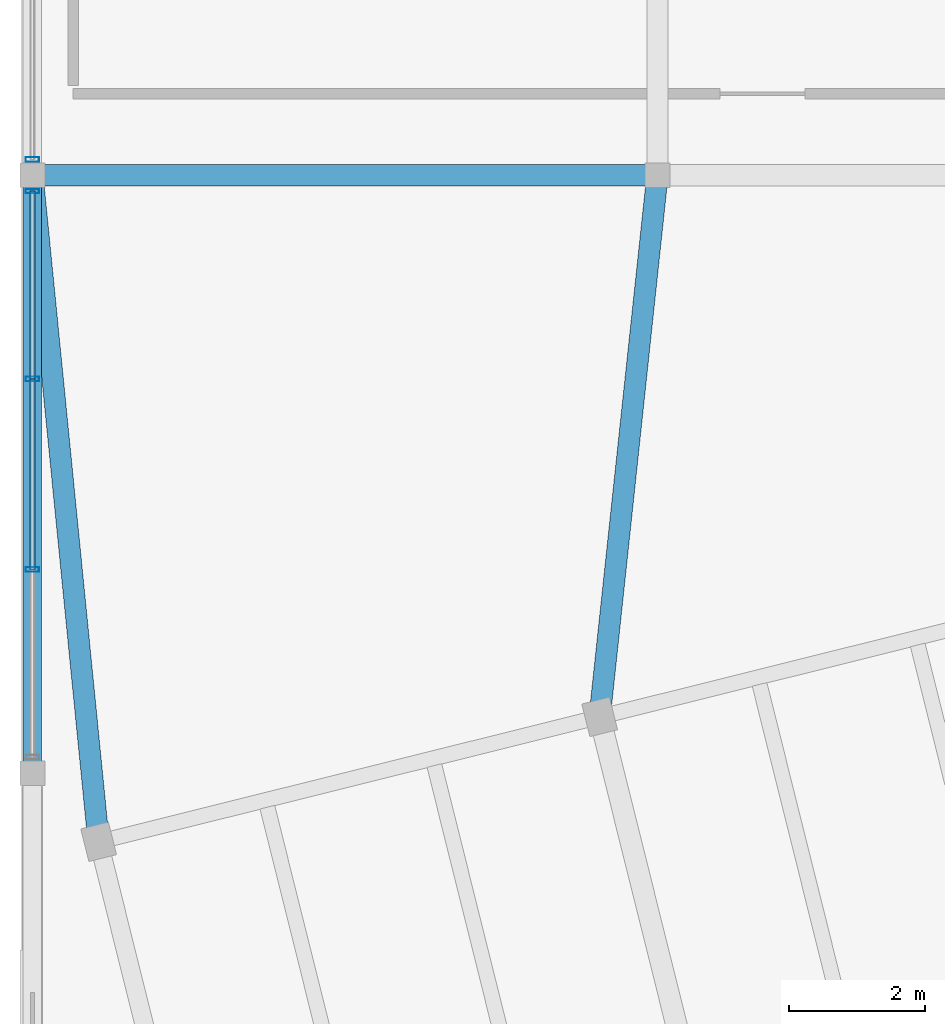
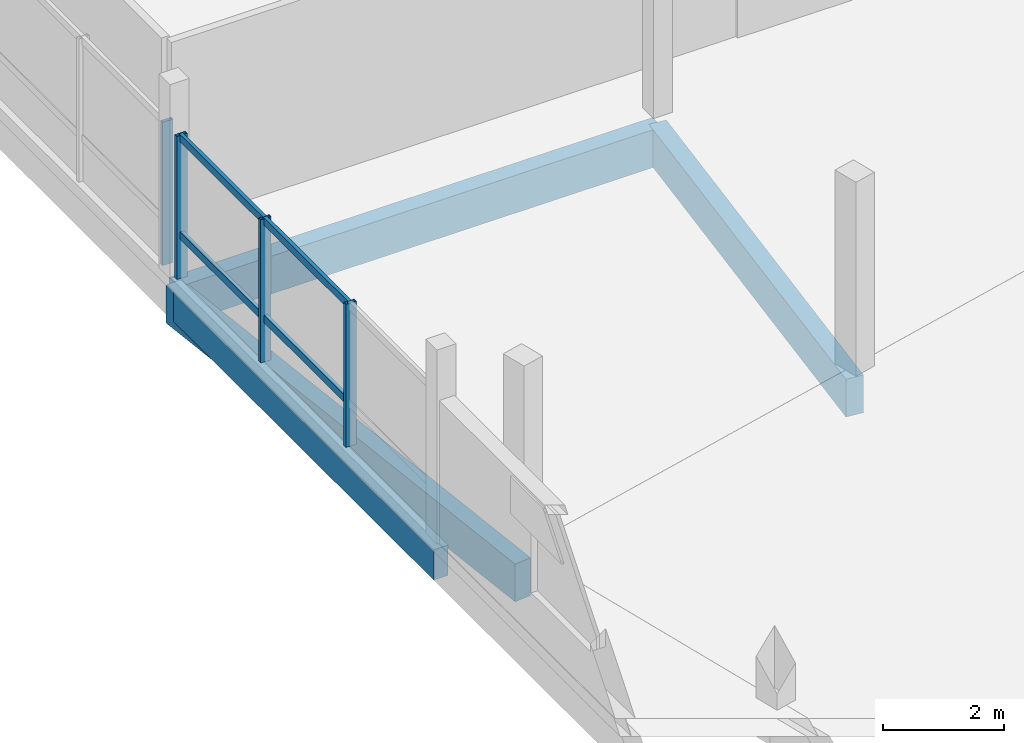
# One storey, part 24 of 39: 8 members, 4 beams, 2 elements without a shape of their own.
"""IFC4 building model written with IfcOpenShell, lengths in metres."""

import ifcopenshell
import ifcopenshell.guid

model = None  # the IFC model being written
_history = None  # IfcOwnerHistory: only IFC2X3 demands one
_inside = {}  # id of a spatial element -> (the spatial element, [elements in it])
_under = {}  # id of a project, library or spatial element -> (it, [spatial elements below it])
_declared = {}  # id of a project -> (the project, [libraries it declares])
_typed = {}  # id of a type object -> (the type object, [elements of that type])
_made_of = {}  # id of a material, layer set ... -> (it, [elements and type objects made of it])


def new_model(schema):
    """Start an empty IFC model of exactly this schema.

    Asked for "IFC4X3", IfcOpenShell would pick the latest addendum, in which some entities
    have other attributes; the version numbers below select the first issue.
    IFC2X3 requires an IfcOwnerHistory on every rooted entity: one is made here for all.
    """
    global model, _history
    if schema == "IFC4X3":
        model = ifcopenshell.file(schema_version=(4, 3, 0, 0))
    else:
        model = ifcopenshell.file(schema=schema)
    _inside.clear()
    _under.clear()
    _declared.clear()
    _typed.clear()
    _made_of.clear()
    _history = None
    if model.schema == "IFC2X3":
        org = make("IfcOrganization", Name="unknown")
        user = make(
            "IfcPersonAndOrganization",
            ThePerson=make("IfcPerson", FamilyName="unknown"),
            TheOrganization=org,
        )
        app = make(
            "IfcApplication",
            ApplicationDeveloper=org,
            Version="unknown",
            ApplicationFullName="unknown",
            ApplicationIdentifier="unknown",
        )
        _history = make(
            "IfcOwnerHistory",
            OwningUser=user,
            OwningApplication=app,
            ChangeAction="ADDED",
            CreationDate=0,
        )
    return model


def make(cls, **values):
    """One entity of the class cls with the attributes given. An attribute that is None is left unset."""
    return model.create_entity(
        cls, **{name: value for name, value in values.items() if value is not None}
    )


def rooted(cls, **values):
    """An entity with a GlobalId (a new one), such as an element, a storey or a relation."""
    return make(cls, GlobalId=ifcopenshell.guid.new(), OwnerHistory=_history, **values)


def si_unit(unit_type, name, prefix=None):
    """IfcSIUnit, for example si_unit("LENGTHUNIT", "METRE", prefix="MILLI")."""
    return make("IfcSIUnit", UnitType=unit_type, Prefix=prefix, Name=name)


def assignment(units):
    """IfcUnitAssignment: the units of a project."""
    return None if units is None else make("IfcUnitAssignment", Units=units)


def point(xyz):
    """IfcCartesianPoint."""
    return None if xyz is None else make("IfcCartesianPoint", Coordinates=xyz)


def direction(xyz):
    """IfcDirection."""
    return None if xyz is None else make("IfcDirection", DirectionRatios=xyz)


def frame(location, z_axis=None, x_axis=None):
    """IfcAxis2Placement3D, a coordinate frame: its origin and axes. An axis left out is left unset."""
    return make(
        "IfcAxis2Placement3D",
        Location=point(location),
        Axis=direction(z_axis),
        RefDirection=direction(x_axis),
    )


def frame_2d(location, x_axis=None):
    """IfcAxis2Placement2D, a coordinate frame in the plane: its origin and x axis."""
    return make(
        "IfcAxis2Placement2D", Location=point(location), RefDirection=direction(x_axis)
    )


def origin():
    """The frame at (0, 0, 0) with its axes left unset."""
    return frame((0.0, 0.0, 0.0))


def origin_2d():
    """The frame at (0, 0) in the plane with its x axis left unset."""
    return frame_2d((0.0, 0.0))


def place(relative_to, where):
    """IfcLocalPlacement: puts the frame where relative to a parent placement (None: the world)."""
    return make(
        "IfcLocalPlacement", PlacementRelTo=relative_to, RelativePlacement=where
    )


def context(
    kind, dimensions, precision=None, world=None, true_north=None, identifier=None
):
    """IfcGeometricRepresentationContext, for example the 3D "Model" context."""
    return make(
        "IfcGeometricRepresentationContext",
        ContextIdentifier=identifier,
        ContextType=kind,
        CoordinateSpaceDimension=dimensions,
        Precision=precision,
        WorldCoordinateSystem=world,
        TrueNorth=true_north,
    )


def subcontext(parent, identifier, kind, view, scale=None):
    """IfcGeometricRepresentationSubContext, for example "Body" below "Model"."""
    return make(
        "IfcGeometricRepresentationSubContext",
        ContextIdentifier=identifier,
        ContextType=kind,
        ParentContext=parent,
        TargetScale=scale,
        TargetView=view,
    )


def project(units=None, contexts=None):
    """IfcProject with its units and contexts."""
    return rooted(
        "IfcProject",
        Name="project",
        RepresentationContexts=contexts,
        UnitsInContext=assignment(units),
    )


def spatial(cls, under=None, at=None, **own):
    """A site, building, storey or space (cls), placed at a placement, below another one or the project."""
    s = rooted(cls, ObjectPlacement=at, **own)
    if under is not None:
        _under.setdefault(under.id(), (under, []))[1].append(s)
    return s


def profile(cls, at=None, kind="AREA", **sizes):
    """A parametric profile (cls). Its sizes go by their IFC names, for example OverallWidth=200.0."""
    return make(cls, ProfileType=kind, Position=at, **sizes)


def rectangle(**sizes):
    """IfcRectangleProfileDef."""
    return profile("IfcRectangleProfileDef", **sizes)


def hollow_rectangle(**sizes):
    """IfcRectangleHollowProfileDef."""
    return profile("IfcRectangleHollowProfileDef", **sizes)


def extrude(swept, where, along, depth):
    """IfcExtrudedAreaSolid: the profile swept, set in the frame where, extruded along a direction by depth."""
    return make(
        "IfcExtrudedAreaSolid",
        SweptArea=swept,
        Position=where,
        ExtrudedDirection=direction(along),
        Depth=depth,
    )


def shape(context_of_items, identifier, shape_type, items):
    """IfcShapeRepresentation: the items that make up one representation, for example the "Body"."""
    return make(
        "IfcShapeRepresentation",
        ContextOfItems=context_of_items,
        RepresentationIdentifier=identifier,
        RepresentationType=shape_type,
        Items=items,
    )


def material(Name=None, Category=None):
    """IfcMaterial."""
    return make("IfcMaterial", Name=Name, Category=Category)


def layer(
    of_material, thickness, ventilated=None, Name=None, Category=None, Priority=None
):
    """IfcMaterialLayer: one layer of a wall or slab, of a material (None: an air gap)."""
    return make(
        "IfcMaterialLayer",
        Material=of_material,
        LayerThickness=thickness,
        IsVentilated=ventilated,
        Name=Name,
        Category=Category,
        Priority=Priority,
    )


def layer_set(layers, Name=None):
    """IfcMaterialLayerSet."""
    return make("IfcMaterialLayerSet", MaterialLayers=layers, LayerSetName=Name)


def material_profile(
    of_material, cross_section, Name=None, Category=None, Priority=None
):
    """IfcMaterialProfile: a cross section and its material."""
    return make(
        "IfcMaterialProfile",
        Name=Name,
        Material=of_material,
        Profile=cross_section,
        Priority=Priority,
        Category=Category,
    )


def profile_set(profiles, Name=None, composite=None):
    """IfcMaterialProfileSet."""
    return make(
        "IfcMaterialProfileSet",
        Name=Name,
        MaterialProfiles=profiles,
        CompositeProfile=composite,
    )


def made_of(thing, what):
    """Note that an element or type object is made of a material, layer set ...; save() writes the relation."""
    if what is not None:
        _made_of.setdefault(what.id(), (what, []))[1].append(thing)
    return thing


def type_object(cls, material=None, **own):
    """A type object (cls), such as IfcWallType, which elements share."""
    return made_of(rooted(cls, **own), material)


def element(
    cls,
    number,
    at=None,
    inside=None,
    cuts=None,
    type_object=None,
    material=None,
    context=None,
    identifier="Body",
    shape_type=None,
    held_by="IfcProductDefinitionShape",
    body=None,
    shapes=None,
    **own,
):
    """One element of the class cls, such as IfcWall. Its Tag is "e" and its number.

    at: its placement. inside: the storey or other place that contains it. cuts: it is an
    opening in that element (IfcRelVoidsElement). A single representation is given by context,
    identifier, shape_type and body (its items); several are given by shapes. held_by: the class
    of the entity that holds the representations. save() writes the other relations.
    """
    e = rooted(cls, Tag="e%d" % number, ObjectPlacement=at, **own)
    if body is not None:
        shapes = [shape(context, identifier, shape_type, body)]
    if shapes is not None:
        e.Representation = make(held_by, Representations=shapes)
    if inside is not None:
        _inside.setdefault(inside.id(), (inside, []))[1].append(e)
    if cuts is not None:
        rooted(
            "IfcRelVoidsElement", RelatingBuildingElement=cuts, RelatedOpeningElement=e
        )
    if type_object is not None:
        _typed.setdefault(type_object.id(), (type_object, []))[1].append(e)
    return made_of(e, material)


def aggregate(whole, parts):
    """IfcRelAggregates: a whole, such as a stair, and the parts it consists of."""
    return rooted("IfcRelAggregates", RelatingObject=whole, RelatedObjects=parts)


def save(model, path):
    """Write the relations noted so far, then the file.

    IfcRelAggregates (storeys below a building ...), IfcRelContainedInSpatialStructure (elements
    in a storey), IfcRelDefinesByType, IfcRelAssociatesMaterial and IfcRelDeclares: one each for
    every whole, place, type object, material and project.
    """
    for whole, parts in _under.values():
        aggregate(whole, parts)
    for where, things in _inside.values():
        rooted(
            "IfcRelContainedInSpatialStructure",
            RelatedElements=things,
            RelatingStructure=where,
        )
    for kind, things in _typed.values():
        rooted("IfcRelDefinesByType", RelatedObjects=things, RelatingType=kind)
    for what, things in _made_of.values():
        rooted("IfcRelAssociatesMaterial", RelatedObjects=things, RelatingMaterial=what)
    for by, libraries in _declared.values():
        rooted("IfcRelDeclares", RelatingContext=by, RelatedDefinitions=libraries)
    model.write(path)


model = new_model("IFC4")

# Units and contexts
model_context = context("Model", 3, precision=1e-05, world=origin(), true_north=direction((0.0, 1.0)))
body_context = subcontext(model_context, "Body", "Model", "MODEL_VIEW")
ifc_project = project(units=[si_unit("LENGTHUNIT", "METRE"), si_unit("AREAUNIT", "SQUARE_METRE"), si_unit("VOLUMEUNIT", "CUBIC_METRE"), si_unit("PLANEANGLEUNIT", "RADIAN"), si_unit("MASSUNIT", "GRAM", prefix="KILO")], contexts=[model_context])

# Site, building, storey
site_placement = place(None, origin())
site = spatial("IfcSite", under=ifc_project, at=site_placement, CompositionType="ELEMENT")
building_placement = place(site_placement, origin())
building = spatial("IfcBuilding", under=site, at=building_placement, Name="Meriwether Solvik Hall", CompositionType="ELEMENT")
storey_placement = place(building_placement, frame((0.0, 0.0, 22.199951171875)))
storey = spatial("IfcBuildingStorey", under=building, at=storey_placement, Name="L05", CompositionType="ELEMENT", Elevation=22.199951171875)

# Beams
ifc_material_1 = material(Name="Glulam Douglas-Fir 24F-V8 GL28h", Category="wood")
ifc_material_profile_1 = material_profile(ifc_material_1, rectangle(XDim=0.27294921875, YDim=0.610107421875, at=origin_2d()), Name="GLB-273X610")
ifc_profile_set_1 = profile_set([ifc_material_profile_1], Name="Glulam Douglas-Fir 24F-V8 GL28h")
beam_type_1 = type_object("IfcBeamType", Name="BM-GL-273X610", PredefinedType="SPANDREL", material=ifc_profile_set_1)
beam_1_placement = place(storey_placement, frame((59.39990234375, 75.199951171875, -0.550048828125), z_axis=(0.0, 1.0, 0.0), x_axis=(-1.0, 0.0, 0.0)))
element("IfcBeam", 1, at=beam_1_placement, inside=storey, type_object=beam_type_1, Name="Podium Girder 7:I-J (L05)", PredefinedType="SPANDREL", context=body_context, shape_type="SweptSolid", body=[
    extrude(rectangle(XDim=0.27294921875, YDim=0.610107421875, at=origin_2d()), origin(), (0.0, 0.0, 1.0), 8.800048828125),
])
ifc_material_2 = material(Name="Glulam Douglas-Fir 24F-V8 GL28h", Category="wood")
ifc_material_profile_2 = material_profile(ifc_material_2, rectangle(XDim=0.31494140625, YDim=0.760009765625, at=origin_2d()), Name="GLB-315X760")
ifc_profile_set_2 = profile_set([ifc_material_profile_2], Name="Glulam Douglas-Fir 24F-V8 GL28h")
beam_type_2 = type_object("IfcBeamType", Name="BM-GL-315X760", PredefinedType="BEAM", material=ifc_profile_set_2)
beam_2_placement = place(storey_placement, frame((59.39990234375, 84.0, -0.625), z_axis=(1.0, 0.0, 0.0), x_axis=(0.0, 1.0, 0.0)))
element("IfcBeam", 2, at=beam_2_placement, inside=storey, type_object=beam_type_2, Name="Podium Girder J:7-8 (L05)", PredefinedType="BEAM", context=body_context, shape_type="SweptSolid", body=[
    extrude(rectangle(XDim=0.31494140625, YDim=0.760009765625, at=origin_2d()), origin(), (0.0, 0.0, 1.0), 9.2001953125),
])
beam_3_placement = place(storey_placement, frame((60.374755859375, 74.18994140625, -0.625), z_axis=(-0.098885806068, 0.995098787738, 0.0), x_axis=(-0.995098787738, -0.098885806068, 0.0)))
element("IfcBeam", 3, at=beam_3_placement, inside=storey, type_object=beam_type_2, Name="Diaphragm Collector Girder T1/TF-7/J (L05)", PredefinedType="BEAM", context=body_context, shape_type="SweptSolid", body=[
    extrude(rectangle(XDim=0.31494140625, YDim=0.760009765625, at=origin_2d()), origin(), (0.0, 0.0, 1.0), 9.8583984375),
])
beam_4_placement = place(storey_placement, frame((67.7490234375, 76.028564453125, -0.625), z_axis=(0.106162139873, 0.99434883218, 0.0), x_axis=(-0.99434883218, 0.106162139873, 0.0)))
element("IfcBeam", 4, at=beam_4_placement, inside=storey, type_object=beam_type_2, Name="Diaphragm Collector Girder T2/TF-8/J (L05)", PredefinedType="BEAM", context=body_context, shape_type="SweptSolid", body=[
    extrude(rectangle(XDim=0.31494140625, YDim=0.760009765625, at=origin_2d()), origin(), (0.0, 0.0, 1.0), 8.016845703125),
])

# Curtain wall, members
ifc_material_3 = material(Name="Thermally Broken Anodised Aluminium 6063-T6 and Low-E Glass", Category="aluminium")
ifc_layer = layer(ifc_material_3, 0.179931640625)
ifc_layer_set = layer_set([ifc_layer], Name="Thermally Broken Anodised Aluminium 6063-T6 and Low-E Glass")
curtain_wall_type = type_object("IfcCurtainWallType", Name="CW-UNIT-E", PredefinedType="USERDEFINED", material=ifc_layer_set)
curtain_wall_1_placement = place(storey_placement, origin())
curtain_wall_1 = element("IfcCurtainWall", 5, at=curtain_wall_1_placement, inside=storey, type_object=curtain_wall_type, Name="Curtain Wall wing_Y7_9_16 (L05)", ObjectType="UNITISED CURTAIN WALL", PredefinedType="USERDEFINED")
ifc_material_4 = material(Name="Anodised Aluminium 6063-T6", Category="aluminium")
ifc_material_profile_3 = material_profile(ifc_material_4, hollow_rectangle(XDim=0.070068359375, YDim=0.199951171875, WallThickness=0.0048828125, at=origin_2d()), Name="CWM-70X200")
ifc_profile_set_3 = profile_set([ifc_material_profile_3], Name="Anodised Aluminium 6063-T6")
member_type_1 = type_object("IfcMemberType", Name="CW-MUL-70X200", PredefinedType="MULLION", material=ifc_profile_set_3)
member_1_placement = place(storey_placement, frame((59.39990234375, 78.1982421875, 0.0), z_axis=(0.0, 0.0, 1.0), x_axis=(0.0, 1.0, 0.0)))
member_1 = element("IfcMember", 6, at=member_1_placement, type_object=member_type_1, Name="Curtain Wall Mullion 2", PredefinedType="MULLION", context=body_context, shape_type="SweptSolid", body=[
    extrude(hollow_rectangle(XDim=0.070068359375, YDim=0.199951171875, WallThickness=0.0048828125, at=origin_2d()), origin(), (0.0, 0.0, 1.0), 2.880126953125),
])
member_2_placement = place(storey_placement, frame((59.39990234375, 81.001708984375, 0.0), z_axis=(0.0, 0.0, 1.0), x_axis=(0.0, 1.0, 0.0)))
member_2 = element("IfcMember", 7, at=member_2_placement, type_object=member_type_1, Name="Curtain Wall Mullion 3", PredefinedType="MULLION", context=body_context, shape_type="SweptSolid", body=[
    extrude(hollow_rectangle(XDim=0.070068359375, YDim=0.199951171875, WallThickness=0.0048828125, at=origin_2d()), origin(), (0.0, 0.0, 1.0), 2.880126953125),
])
member_3_placement = place(storey_placement, frame((59.39990234375, 83.767578125, 0.0), z_axis=(0.0, 0.0, 1.0), x_axis=(0.0, 1.0, 0.0)))
member_3 = element("IfcMember", 8, at=member_3_placement, type_object=member_type_1, Name="Curtain Wall Mullion 4", PredefinedType="MULLION", context=body_context, shape_type="SweptSolid", body=[
    extrude(hollow_rectangle(XDim=0.070068359375, YDim=0.199951171875, WallThickness=0.0048828125, at=origin_2d()), origin(), (0.0, 0.0, 1.0), 2.880126953125),
])

# Curtain wall, member
curtain_wall_2_placement = place(storey_placement, origin())
curtain_wall_2 = element("IfcCurtainWall", 9, at=curtain_wall_2_placement, inside=storey, type_object=curtain_wall_type, Name="Curtain Wall wing_Y7_10_17 (L05)", ObjectType="UNITISED CURTAIN WALL", PredefinedType="USERDEFINED")
member_4_placement = place(storey_placement, frame((59.39990234375, 84.232421875, 0.0), z_axis=(0.0, 0.0, 1.0), x_axis=(0.0, 1.0, 0.0)))
member_4 = element("IfcMember", 10, at=member_4_placement, type_object=member_type_1, Name="Curtain Wall Mullion 1", PredefinedType="MULLION", context=body_context, shape_type="SweptSolid", body=[
    extrude(hollow_rectangle(XDim=0.070068359375, YDim=0.199951171875, WallThickness=0.0048828125, at=origin_2d()), origin(), (0.0, 0.0, 1.0), 2.880126953125),
])
aggregate(curtain_wall_2, [member_4])

# Member
ifc_material_5 = material(Name="Anodised Aluminium 6063-T6", Category="aluminium")
ifc_material_profile_4 = material_profile(ifc_material_5, hollow_rectangle(XDim=0.070068359375, YDim=0.14990234375, WallThickness=0.0048828125, at=origin_2d()), Name="CWT-70X150")
ifc_profile_set_4 = profile_set([ifc_material_profile_4], Name="Anodised Aluminium 6063-T6")
member_type_2 = type_object("IfcMemberType", Name="CW-TRN-70X150", PredefinedType="USERDEFINED", material=ifc_profile_set_4)
member_5_placement = place(storey_placement, frame((59.39990234375, 78.1982421875, 0.864013671875), z_axis=(0.0, 1.0, 0.0), x_axis=(-1.0, 0.0, 0.0)))
member_5 = element("IfcMember", 11, at=member_5_placement, type_object=member_type_2, Name="Curtain Wall Transom 2-sill", ObjectType="TRANSOM", PredefinedType="USERDEFINED", context=body_context, shape_type="SweptSolid", body=[
    extrude(hollow_rectangle(XDim=0.070068359375, YDim=0.14990234375, WallThickness=0.0048828125, at=origin_2d()), origin(), (0.0, 0.0, 1.0), 2.803466796875),
])

member_6_placement = place(storey_placement, frame((59.39990234375, 78.1982421875, 2.820068359375), z_axis=(0.0, 1.0, 0.0), x_axis=(-1.0, 0.0, 0.0)))
member_6 = element("IfcMember", 12, at=member_6_placement, type_object=member_type_2, Name="Curtain Wall Transom 2-head", ObjectType="TRANSOM", PredefinedType="USERDEFINED", context=body_context, shape_type="SweptSolid", body=[
    extrude(hollow_rectangle(XDim=0.070068359375, YDim=0.14990234375, WallThickness=0.0048828125, at=origin_2d()), origin(), (0.0, 0.0, 1.0), 2.803466796875),
])

member_7_placement = place(storey_placement, frame((59.39990234375, 81.001708984375, 0.864013671875), z_axis=(0.0, 1.0, 0.0), x_axis=(-1.0, 0.0, 0.0)))
member_7 = element("IfcMember", 13, at=member_7_placement, type_object=member_type_2, Name="Curtain Wall Transom 3-sill", ObjectType="TRANSOM", PredefinedType="USERDEFINED", context=body_context, shape_type="SweptSolid", body=[
    extrude(hollow_rectangle(XDim=0.070068359375, YDim=0.14990234375, WallThickness=0.0048828125, at=origin_2d()), origin(), (0.0, 0.0, 1.0), 2.765869140625),
])

member_8_placement = place(storey_placement, frame((59.39990234375, 81.001708984375, 2.820068359375), z_axis=(0.0, 1.0, 0.0), x_axis=(-1.0, 0.0, 0.0)))
member_8 = element("IfcMember", 14, at=member_8_placement, type_object=member_type_2, Name="Curtain Wall Transom 3-head", ObjectType="TRANSOM", PredefinedType="USERDEFINED", context=body_context, shape_type="SweptSolid", body=[
    extrude(hollow_rectangle(XDim=0.070068359375, YDim=0.14990234375, WallThickness=0.0048828125, at=origin_2d()), origin(), (0.0, 0.0, 1.0), 2.765869140625),
])

aggregate(curtain_wall_1, [member_1, member_2, member_3, member_5, member_6, member_7, member_8])

save(model, "model.ifc")
